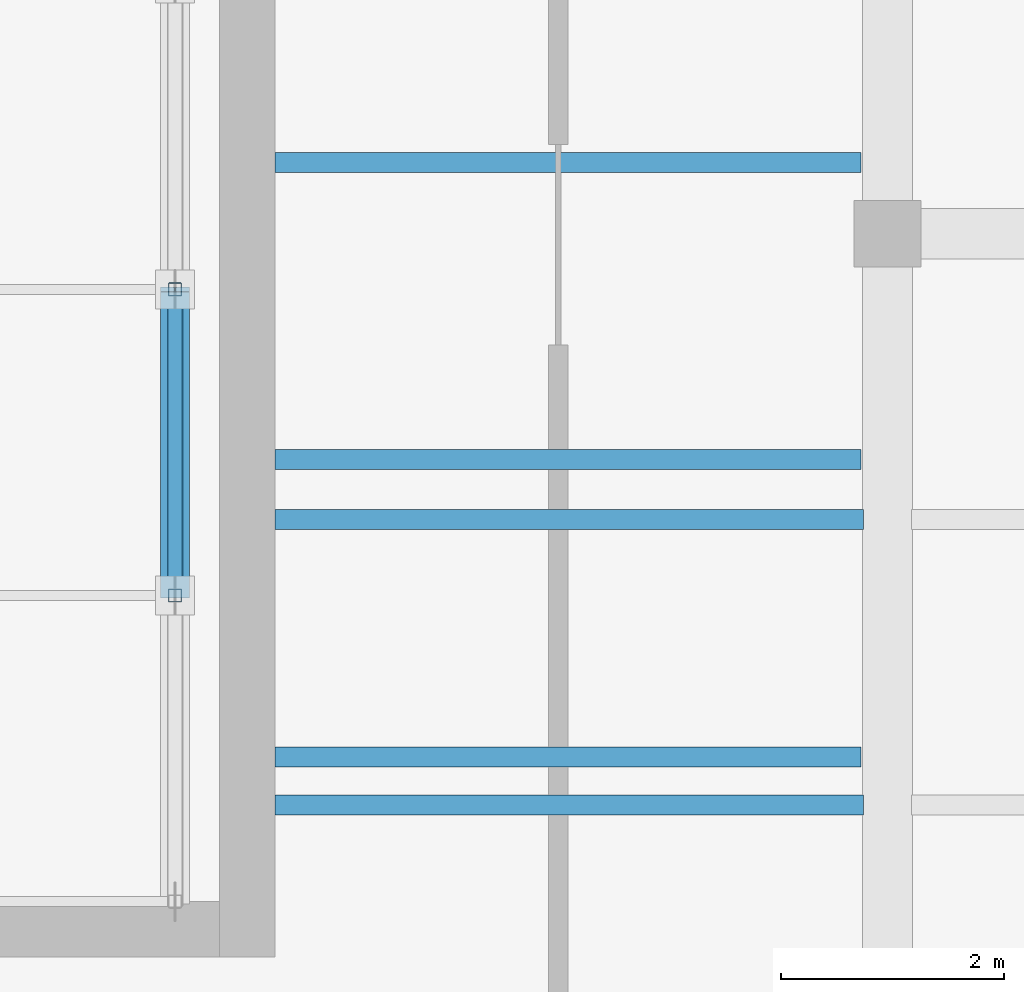
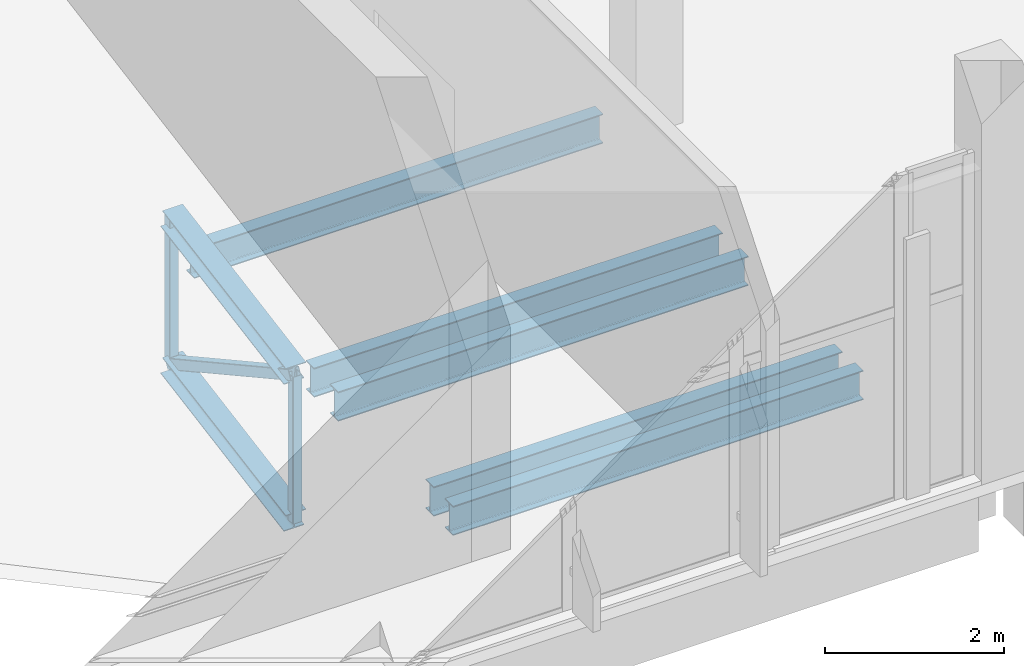
# One storey, part 8 of 132: 5 beams, 5 members.
"""IFC4 building model written with IfcOpenShell, lengths in metres."""

from ifc_helpers import new_model, si_unit, direction, frame, origin, origin_2d, place, context, subcontext, project, spatial, hollow_rectangle, i_section, extrude, material, material_profile, profile_set, type_object, element, save


model = new_model("IFC4")

# Units and contexts
model_context = context("Model", 3, precision=1e-05, world=origin(), true_north=direction((0.0, 1.0)))
body_context = subcontext(model_context, "Body", "Model", "MODEL_VIEW")
ifc_project = project(units=[si_unit("LENGTHUNIT", "METRE"), si_unit("AREAUNIT", "SQUARE_METRE"), si_unit("VOLUMEUNIT", "CUBIC_METRE"), si_unit("PLANEANGLEUNIT", "RADIAN"), si_unit("MASSUNIT", "GRAM", prefix="KILO")], contexts=[model_context])

# Site, building, storey
site_placement = place(None, origin())
site = spatial("IfcSite", under=ifc_project, at=site_placement, CompositionType="ELEMENT")
building_placement = place(site_placement, origin())
building = spatial("IfcBuilding", under=site, at=building_placement, Name="Lunette Opera House", CompositionType="ELEMENT")
storey_placement = place(building_placement, frame((0.0, 0.0, 17.0)))
storey = spatial("IfcBuildingStorey", under=building, at=storey_placement, Name="L03", CompositionType="ELEMENT", Elevation=17.0)

# Members
ifc_material_1 = material(Name="Steel S355", Category="steel")
ifc_material_profile_1 = material_profile(ifc_material_1, i_section(OverallWidth=0.260009765625, OverallDepth=0.25, WebThickness=0.007568359375, FlangeThickness=0.012451171875, FilletRadius=0.02392578125, at=origin_2d()), Name="HEA 260")
ifc_profile_set_1 = profile_set([ifc_material_profile_1], Name="Steel S355")
member_type_1 = type_object("IfcMemberType", Name="CHORD HEA 260", PredefinedType="CHORD", material=ifc_profile_set_1)
for number, where, z_axis, x_axis, name in (
    (1, (33.60009765625, 68.75, 0.780029296875), (0.0, 0.984809952442, 0.173635703618), (-1.0, 0.0, 0.0), "mem-RW-L03-RW-TR05-TC2"),
    (2, (33.60009765625, 68.75, -1.219970703125), (0.0, 0.984809952442, 0.173635703618), (-1.0, 0.0, 0.0), "mem-RW-L03-RW-TR05-BC2"),
):
    element("IfcMember", number, at=place(storey_placement, frame(where, z_axis=z_axis, x_axis=x_axis)), inside=storey, type_object=member_type_1, Name=name, PredefinedType="CHORD", context=body_context, shape_type="SweptSolid", body=[
        extrude(i_section(OverallWidth=0.260009765625, OverallDepth=0.25, WebThickness=0.007568359375, FlangeThickness=0.012451171875, FilletRadius=0.02392578125, at=origin_2d()), origin(), (0.0, 0.0, 1.0), 2.79248046875),
    ])
ifc_material_2 = material(Name="Steel S355", Category="steel")
ifc_material_profile_2 = material_profile(ifc_material_2, hollow_rectangle(XDim=0.139892578125, YDim=0.139892578125, WallThickness=0.006103515625, InnerFilletRadius=0.006103515625, OuterFilletRadius=0.011962890625, at=origin_2d()), Name="RHS 140X140X6")
ifc_profile_set_2 = profile_set([ifc_material_profile_2], Name="Steel S355")
member_type_2 = type_object("IfcMemberType", Name="DIAGONAL RHS 140X140X6", PredefinedType="BRACE", material=ifc_profile_set_2)
member_placement = place(storey_placement, frame((33.60009765625, 68.75, 0.780029296875), z_axis=(0.0, 0.87586106121, -0.482563365223), x_axis=(-1.0, 0.0, 0.0)))
element("IfcMember", 3, at=member_placement, inside=storey, type_object=member_type_2, Name="mem-RW-L03-RW-TR05-TD2", PredefinedType="BRACE", context=body_context, shape_type="SweptSolid", body=[
    extrude(hollow_rectangle(XDim=0.139892578125, YDim=0.139892578125, WallThickness=0.006103515625, InnerFilletRadius=0.006103515625, OuterFilletRadius=0.011962890625, at=origin_2d()), origin(), (0.0, 0.0, 1.0), 3.1396484375),
])

# Beams
ifc_material_3 = material(Name="Steel S355", Category="steel")
ifc_material_profile_3 = material_profile(ifc_material_3, i_section(OverallWidth=0.179931640625, OverallDepth=0.39990234375, WebThickness=0.008544921875, FlangeThickness=0.013427734375, FilletRadius=0.02099609375, at=origin_2d()), Name="IPE 400")
ifc_profile_set_3 = profile_set([ifc_material_profile_3], Name="Steel S355")
beam_type = type_object("IfcBeamType", Name="STEEL BEAM IPE 400", PredefinedType="BEAM", material=ifc_profile_set_3)
for number, where, z_axis, x_axis, name in (
    (4, (34.5, 66.866943359375, -0.35009765625), (1.0, 0.0, 0.0), (0.0, 1.0, 0.0), "beam-RW-L03-L03-SX301-01"),
    (5, (34.5, 69.43310546875, -0.35009765625), (1.0, 0.0, 0.0), (0.0, 1.0, 0.0), "beam-RW-L03-L03-SX302-01"),
):
    element("IfcBeam", number, at=place(storey_placement, frame(where, z_axis=z_axis, x_axis=x_axis)), inside=storey, type_object=beam_type, Name=name, PredefinedType="BEAM", context=body_context, shape_type="SweptSolid", body=[
        extrude(i_section(OverallWidth=0.179931640625, OverallDepth=0.39990234375, WebThickness=0.008544921875, FlangeThickness=0.013427734375, FilletRadius=0.02099609375, at=origin_2d()), origin(), (0.0, 0.0, 1.0), 5.284912109375),
    ])
for number, where, z_axis, x_axis, name in (
    (6, (34.5, 67.300048828125, -0.35009765625), (1.0, 0.0, 0.0), (0.0, 1.0, 0.0), "beam-RW-L03-L03-RJE10660"),
    (7, (34.5, 69.969970703125, -0.35009765625), (1.0, 0.0, 0.0), (0.0, 1.0, 0.0), "beam-RW-L03-L03-RJE10661"),
    (8, (34.5, 72.639892578125, -0.35009765625), (1.0, 0.0, 0.0), (0.0, 1.0, 0.0), "beam-RW-L03-L03-RJE10662"),
):
    element("IfcBeam", number, at=place(storey_placement, frame(where, z_axis=z_axis, x_axis=x_axis)), inside=storey, type_object=beam_type, Name=name, PredefinedType="BEAM", context=body_context, shape_type="SweptSolid", body=[
        extrude(i_section(OverallWidth=0.179931640625, OverallDepth=0.39990234375, WebThickness=0.008544921875, FlangeThickness=0.013427734375, FilletRadius=0.02099609375, at=origin_2d()), origin(), (0.0, 0.0, 1.0), 5.264892578125),
    ])

# Members
ifc_material_4 = material(Name="Steel S355", Category="steel")
ifc_material_profile_4 = material_profile(ifc_material_4, hollow_rectangle(XDim=0.1201171875, YDim=0.1201171875, WallThickness=0.0048828125, InnerFilletRadius=0.0048828125, OuterFilletRadius=0.010009765625, at=origin_2d()), Name="RHS 120X120X5")
ifc_profile_set_4 = profile_set([ifc_material_profile_4], Name="Steel S355")
member_type_3 = type_object("IfcMemberType", Name="VERTICAL RHS 120X120X5", PredefinedType="POST", material=ifc_profile_set_4)
for number, where, z_axis, x_axis, name in (
    (9, (33.60009765625, 68.75, -1.219970703125), (0.0, 0.0, 1.0), (1.0, 0.0, 0.0), "mem-RW-L03-RW-TR05-TV2"),
    (10, (33.60009765625, 71.5, -0.735107421875), (0.0, 0.0, 1.0), (1.0, 0.0, 0.0), "mem-RW-L03-RW-TR05-TV3"),
):
    element("IfcMember", number, at=place(storey_placement, frame(where, z_axis=z_axis, x_axis=x_axis)), inside=storey, type_object=member_type_3, Name=name, PredefinedType="POST", context=body_context, shape_type="SweptSolid", body=[
        extrude(hollow_rectangle(XDim=0.1201171875, YDim=0.1201171875, WallThickness=0.0048828125, InnerFilletRadius=0.0048828125, OuterFilletRadius=0.010009765625, at=origin_2d()), origin(), (0.0, 0.0, 1.0), 2.0),
    ])

save(model, "model.ifc")
